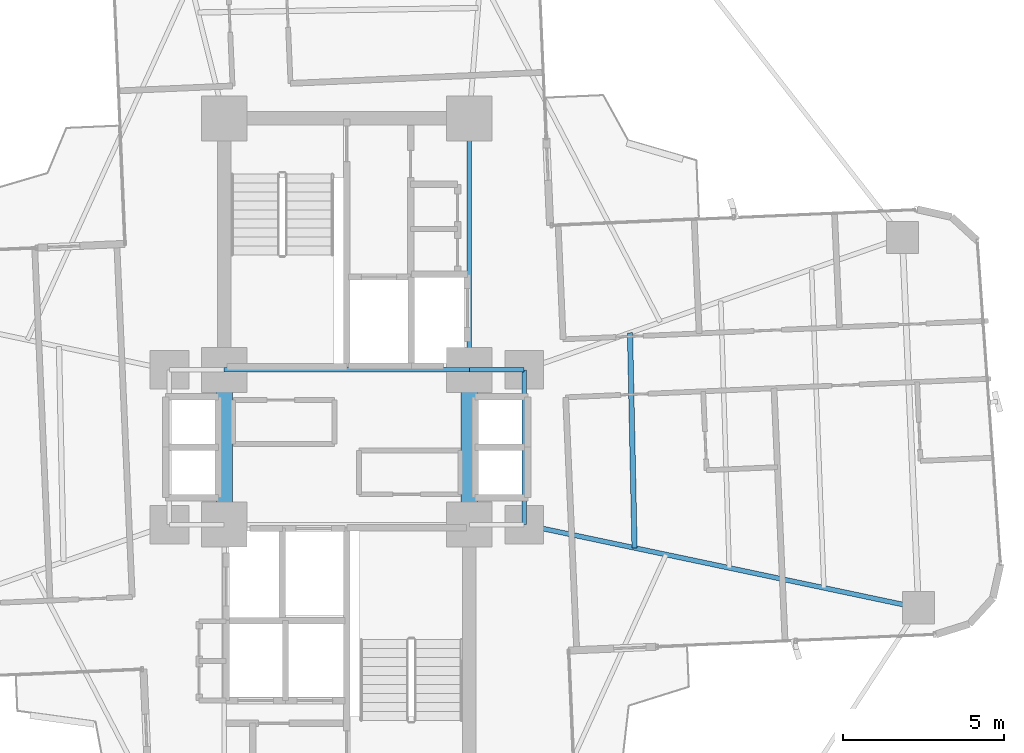
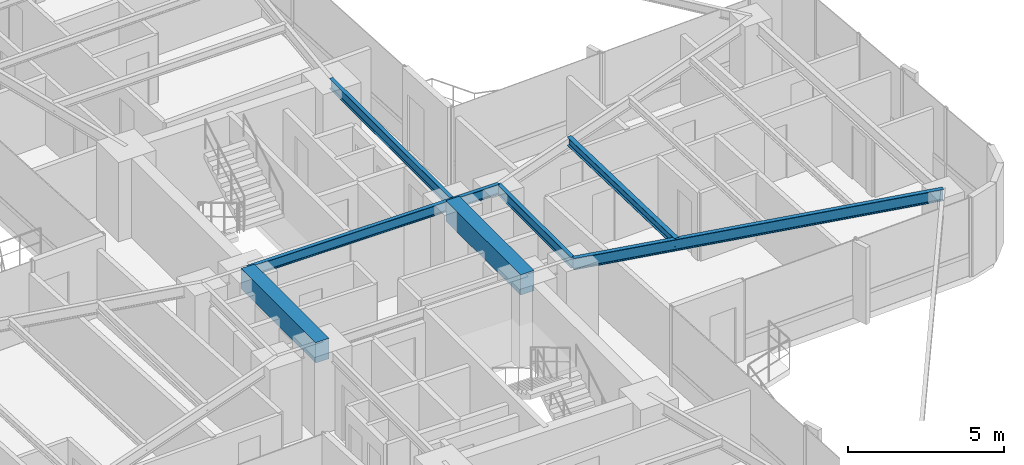
# One storey, part 12 of 26: 8 beams.
"""IFC4 building model written with IfcOpenShell, lengths in metres."""

from ifc_helpers import new_model, si_unit, direction, frame, origin, origin_2d, place, context, subcontext, project, spatial, rectangle, i_section, extrude, source, transform, mapped, material, material_profile, profile_set, type_object, element, save


model = new_model("IFC4")

# Units and contexts
model_context = context("Model", 3, precision=1e-05, world=origin(), true_north=direction((0.0, 1.0)))
body_context = subcontext(model_context, "Body", "Model", "MODEL_VIEW")
ifc_project = project(units=[si_unit("LENGTHUNIT", "METRE"), si_unit("AREAUNIT", "SQUARE_METRE"), si_unit("VOLUMEUNIT", "CUBIC_METRE"), si_unit("PLANEANGLEUNIT", "RADIAN"), si_unit("MASSUNIT", "GRAM", prefix="KILO")], contexts=[model_context])

# Site, building, storey
site_placement = place(None, origin())
site = spatial("IfcSite", under=ifc_project, at=site_placement, CompositionType="ELEMENT")
building_placement = place(site_placement, origin())
building = spatial("IfcBuilding", under=site, at=building_placement, Name="Sahyath Konkavel Grand Hotel", CompositionType="ELEMENT")
storey_placement = place(building_placement, frame((0.0, 0.0, 131.550048828125)))
storey = spatial("IfcBuildingStorey", under=building, at=storey_placement, Name="L36", CompositionType="ELEMENT", Elevation=131.550048828125)

# Beams
ifc_material_1 = material(Name="Steel E350", Category="steel")
ifc_material_profile_1 = material_profile(ifc_material_1, i_section(OverallWidth=0.139892578125, OverallDepth=0.39990234375, WebThickness=0.0087890625, FlangeThickness=0.01611328125, FilletRadius=0.013916015625, at=origin_2d()), Name="ISMB 400")
ifc_profile_set_1 = profile_set([ifc_material_profile_1], Name="Steel E350")
beam_type_1 = type_object("IfcBeamType", Name="BM-ISMB400", PredefinedType="BEAM", material=ifc_profile_set_1)
shared_shape_1 = source(origin(), body_context, "Body", "SweptSolid", [
    extrude(i_section(OverallWidth=0.139892578125, OverallDepth=0.39990234375, WebThickness=0.0087890625, FlangeThickness=0.01611328125, FilletRadius=0.013916015625, at=origin_2d()), origin(), (0.0, 0.0, 1.0), 7.60009765625),
])
beam_1_placement = place(storey_placement, frame((-3.800048828125, 2.39990234375, 2.909912109375), z_axis=(1.0, 0.0, 0.0), x_axis=(0.0, 1.0, 0.0)))
element("IfcBeam", 1, at=beam_1_placement, inside=storey, type_object=beam_type_1, Name="str:bm:L36:NC-S", PredefinedType="BEAM", context=body_context, shape_type="MappedRepresentation", body=[
    mapped(shared_shape_1, transform((0.0, 0.0, 0.0), scale=1.0)),
])
shared_shape_2 = source(origin(), body_context, "Body", "SweptSolid", [
    extrude(i_section(OverallWidth=0.139892578125, OverallDepth=0.39990234375, WebThickness=0.0087890625, FlangeThickness=0.01611328125, FilletRadius=0.013916015625, at=origin_2d()), origin(), (0.0, 0.0, 1.0), 7.800048828125),
])
beam_2_placement = place(storey_placement, frame((3.800048828125, 2.39990234375, 2.909912109375), z_axis=(0.0, 1.0, 0.0), x_axis=(-1.0, 0.0, 0.0)))
element("IfcBeam", 2, at=beam_2_placement, inside=storey, type_object=beam_type_1, Name="str:bm:L36:NC-E", PredefinedType="BEAM", context=body_context, shape_type="MappedRepresentation", body=[
    mapped(shared_shape_2, transform((0.0, 0.0, 0.0), scale=1.0)),
])
shared_shape_3 = source(origin(), body_context, "Body", "SweptSolid", [
    extrude(i_section(OverallWidth=0.139892578125, OverallDepth=0.39990234375, WebThickness=0.0087890625, FlangeThickness=0.01611328125, FilletRadius=0.013916015625, at=origin_2d()), origin(), (0.0, 0.0, 1.0), 1.699951171875),
])
beam_3_placement = place(storey_placement, frame((3.800048828125, 2.39990234375, 2.909912109375), z_axis=(1.0, 0.0, 0.0), x_axis=(0.0, 1.0, 0.0)))
element("IfcBeam", 3, at=beam_3_placement, inside=storey, type_object=beam_type_1, Name="str:bm:L36:HB-NE", PredefinedType="BEAM", context=body_context, shape_type="MappedRepresentation", body=[
    mapped(shared_shape_3, transform((0.0, 0.0, 0.0), scale=1.0)),
])
shared_shape_4 = source(origin(), body_context, "Body", "SweptSolid", [
    extrude(i_section(OverallWidth=0.139892578125, OverallDepth=0.39990234375, WebThickness=0.0087890625, FlangeThickness=0.01611328125, FilletRadius=0.013916015625, at=origin_2d()), origin(), (0.0, 0.0, 1.0), 4.7998046875),
])
beam_4_placement = place(storey_placement, frame((5.5, -2.39990234375, 2.909912109375), z_axis=(0.0, 1.0, 0.0), x_axis=(-1.0, 0.0, 0.0)))
element("IfcBeam", 4, at=beam_4_placement, inside=storey, type_object=beam_type_1, Name="str:bm:L36:HB-E", PredefinedType="BEAM", context=body_context, shape_type="MappedRepresentation", body=[
    mapped(shared_shape_4, transform((0.0, 0.0, 0.0), scale=1.0)),
])
ifc_material_2 = material(Name="Concrete C50/60", Category="concrete")
ifc_material_profile_2 = material_profile(ifc_material_2, rectangle(XDim=0.5, YDim=0.800048828125, at=origin_2d()), Name="RC 500x800")
ifc_profile_set_2 = profile_set([ifc_material_profile_2], Name="Concrete C50/60")
beam_type_2 = type_object("IfcBeamType", Name="BM-CB500x800", PredefinedType="LINTEL", material=ifc_profile_set_2)
shared_shape_5 = source(origin(), body_context, "Body", "SweptSolid", [
    extrude(rectangle(XDim=0.5, YDim=0.800048828125, at=origin_2d()), origin(), (0.0, 0.0, 1.0), 4.7998046875),
])
for number, where, z_axis, x_axis, name in (
    (5, (-3.800048828125, -2.39990234375, 2.7099609375), (0.0, 1.0, 0.0), (-1.0, 0.0, 0.0), "L36 Split-Core Coupling Beam West"),
    (6, (3.800048828125, -2.39990234375, 2.7099609375), (0.0, 1.0, 0.0), (-1.0, 0.0, 0.0), "L36 Split-Core Coupling Beam East"),
):
    element("IfcBeam", number, at=place(storey_placement, frame(where, z_axis=z_axis, x_axis=x_axis)), inside=storey, type_object=beam_type_2, Name=name, PredefinedType="LINTEL", context=body_context, shape_type="MappedRepresentation", body=[
        mapped(shared_shape_5, transform((0.0, 0.0, 0.0), scale=1.0)),
    ])
ifc_material_profile_3 = material_profile(ifc_material_1, i_section(OverallWidth=0.14990234375, OverallDepth=0.449951171875, WebThickness=0.009521484375, FlangeThickness=0.017333984375, FilletRadius=0.014892578125, at=origin_2d()), Name="ISMB 450")
ifc_profile_set_3 = profile_set([ifc_material_profile_3], Name="Steel E350")
beam_type_3 = type_object("IfcBeamType", Name="BM-ISMB450", PredefinedType="BEAM", material=ifc_profile_set_3)
shared_shape_6 = source(origin(), body_context, "Body", "SweptSolid", [
    extrude(i_section(OverallWidth=0.14990234375, OverallDepth=0.449951171875, WebThickness=0.009521484375, FlangeThickness=0.017333984375, FilletRadius=0.014892578125, at=origin_2d()), origin(), (0.0, 0.0, 1.0), 12.50341796875),
])
beam_5_placement = place(storey_placement, frame((5.5, -2.39990234375, 2.885009765625), z_axis=(0.978457911392, -0.206446398937, 0.0), x_axis=(0.206446398937, 0.978457911392, 0.0)))
element("IfcBeam", 7, at=beam_5_placement, inside=storey, type_object=beam_type_3, Name="L36 Cruciform Radial Girder EA", PredefinedType="BEAM", context=body_context, shape_type="MappedRepresentation", body=[
    mapped(shared_shape_6, transform((0.0, 0.0, 0.0), scale=1.0)),
])
ifc_material_profile_4 = material_profile(ifc_material_1, i_section(OverallWidth=0.1650390625, OverallDepth=0.324951171875, WebThickness=0.007080078125, FlangeThickness=0.009765625, FilletRadius=0.014892578125, at=origin_2d()), Name="ISLB 325")
ifc_profile_set_4 = profile_set([ifc_material_profile_4], Name="Steel E350")
beam_type_4 = type_object("IfcBeamType", Name="BM-ISLB325", PredefinedType="BEAM", material=ifc_profile_set_4)
shared_shape_7 = source(origin(), body_context, "Body", "SweptSolid", [
    extrude(i_section(OverallWidth=0.1650390625, OverallDepth=0.324951171875, WebThickness=0.007080078125, FlangeThickness=0.009765625, FilletRadius=0.014892578125, at=origin_2d()), origin(), (0.0, 0.0, 1.0), 6.674560546875),
])
beam_6_placement = place(storey_placement, frame((8.925537109375, -3.122802734375, 2.947509765625), z_axis=(-0.021032188543, 0.999778799058, 0.0), x_axis=(-0.999778799058, -0.021032188543, 0.0)))
element("IfcBeam", 8, at=beam_6_placement, inside=storey, type_object=beam_type_4, Name="L36 Secondary Floor Beam E-1", PredefinedType="BEAM", context=body_context, shape_type="MappedRepresentation", body=[
    mapped(shared_shape_7, transform((0.0, 0.0, 0.0), scale=1.0)),
])

save(model, "model.ifc")
